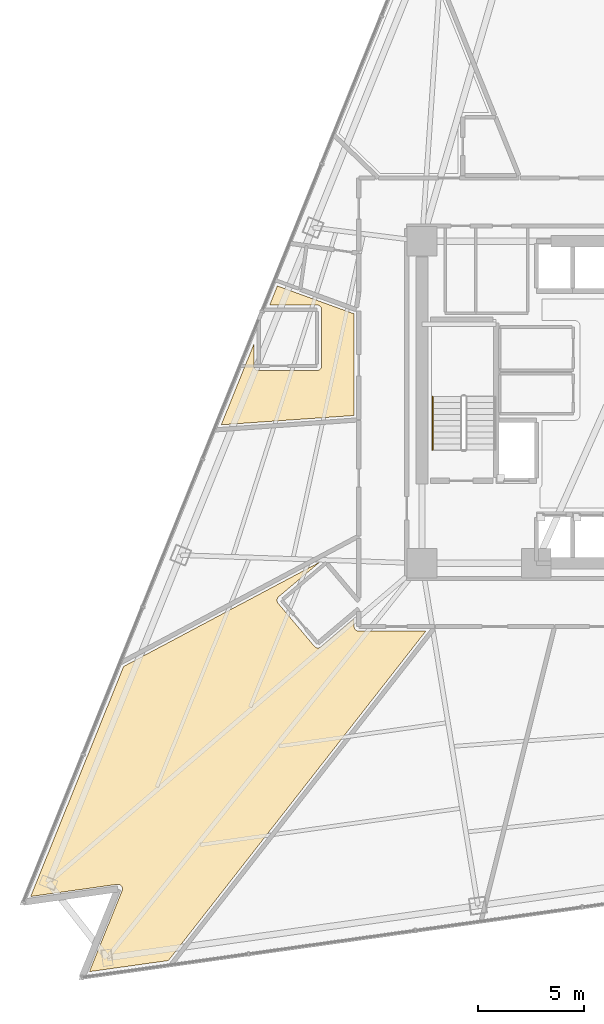
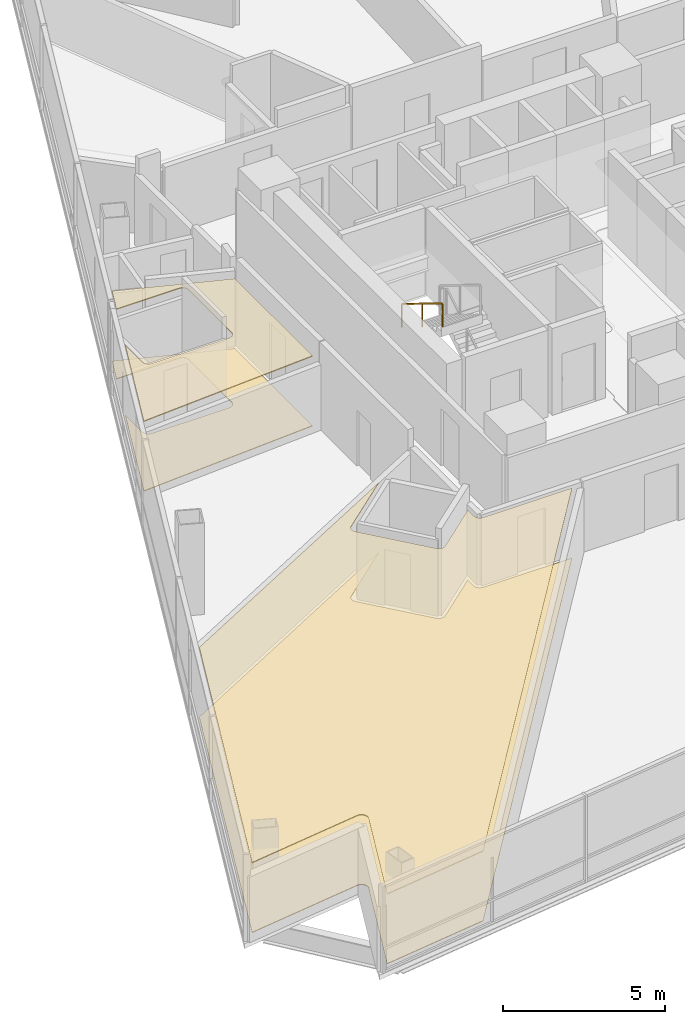
# One storey, part 11 of 15: 4 coverings, 1 railing.
"""IFC4 building model written with IfcOpenShell, lengths in metres."""

from ifc_helpers import new_model, si_unit, direction, frame, origin, origin_2d, place, context, subcontext, project, spatial, polyline, rectangle, outline, extrude, material, layer, layer_set, type_object, element, save


model = new_model("IFC4")

# Units and contexts
model_context = context("Model", 3, precision=1e-05, world=origin(), true_north=direction((0.0, 1.0)))
body_context = subcontext(model_context, "Body", "Model", "MODEL_VIEW")
ifc_project = project(units=[si_unit("LENGTHUNIT", "METRE"), si_unit("AREAUNIT", "SQUARE_METRE"), si_unit("VOLUMEUNIT", "CUBIC_METRE"), si_unit("PLANEANGLEUNIT", "RADIAN"), si_unit("MASSUNIT", "GRAM", prefix="KILO")], contexts=[model_context])

# Site, building, storey
site_placement = place(None, origin())
site = spatial("IfcSite", under=ifc_project, at=site_placement, CompositionType="ELEMENT")
building_placement = place(site_placement, origin())
building = spatial("IfcBuilding", under=site, at=building_placement, Name="Tharavind Bronze Gate", CompositionType="ELEMENT")
storey_placement = place(building_placement, frame((0.0, 0.0, 67.300048828125)))
storey = spatial("IfcBuildingStorey", under=building, at=storey_placement, Name="L16", CompositionType="ELEMENT", Elevation=67.300048828125)

# Coverings
ifc_material_1 = material(Name="Engineered Oak & Carpet Tile", Category="wood")
ifc_layer_1 = layer(ifc_material_1, 0.02490234375)
ifc_layer_set_1 = layer_set([ifc_layer_1], Name="Engineered Oak & Carpet Tile")
covering_type_1 = type_object("IfcCoveringType", Name="ENGINEERED TIMBER FLOORING", PredefinedType="FLOORING", material=ifc_layer_set_1)
covering_1_placement = place(storey_placement, origin())
element("IfcCovering", 1, at=covering_1_placement, inside=storey, type_object=covering_type_1, Name="L16-RM-07 floor finish", PredefinedType="FLOORING", context=body_context, shape_type="SweptSolid", body=[
    extrude(outline(polyline([(-12.10009765625, -0.62548828125), (-12.10009765625, 4.169921875), (-15.720703125, 5.48779296875), (-16.08447265625, 4.587646484375), (-13.85009765625, 4.587646484375), (-13.828369140625, 4.586669921875), (-13.80712890625, 4.58349609375), (-13.7861328125, 4.578125), (-13.765869140625, 4.57080078125), (-13.746337890625, 4.561767578125), (-13.727783203125, 4.550537109375), (-13.71044921875, 4.53759765625), (-13.6943359375, 4.523193359375), (-13.679931640625, 4.507080078125), (-13.6669921875, 4.489990234375), (-13.656005859375, 4.471435546875), (-13.646728515625, 4.451904296875), (-13.639404296875, 4.431396484375), (-13.63427734375, 4.41064453125), (-13.631103515625, 4.38916015625), (-13.6298828125, 4.36767578125), (-13.6298828125, 1.717529296875), (-13.631103515625, 1.696044921875), (-13.63427734375, 1.6748046875), (-13.639404296875, 1.65380859375), (-13.646728515625, 1.633544921875), (-13.656005859375, 1.614013671875), (-13.6669921875, 1.595458984375), (-13.679931640625, 1.578125), (-13.6943359375, 1.56201171875), (-13.71044921875, 1.547607421875), (-13.727783203125, 1.53466796875), (-13.746337890625, 1.523681640625), (-13.765869140625, 1.514404296875), (-13.7861328125, 1.507080078125), (-13.80712890625, 1.501953125), (-13.828369140625, 1.498779296875), (-13.85009765625, 1.49755859375), (-16.60009765625, 1.49755859375), (-16.62158203125, 1.498779296875), (-16.642822265625, 1.501953125), (-16.663818359375, 1.507080078125), (-16.68408203125, 1.514404296875), (-16.70361328125, 1.523681640625), (-16.72216796875, 1.53466796875), (-16.739501953125, 1.547607421875), (-16.755615234375, 1.56201171875), (-16.77001953125, 1.578125), (-16.782958984375, 1.595458984375), (-16.7939453125, 1.614013671875), (-16.80322265625, 1.633544921875), (-16.810546875, 1.65380859375), (-16.81591796875, 1.6748046875), (-16.81884765625, 1.696044921875), (-16.820068359375, 1.717529296875), (-16.820068359375, 2.767333984375), (-18.367919921875, -1.06396484375), (-12.10009765625, -0.62548828125)])), origin(), (0.0, 0.0, 1.0), 0.02490234375),
])
covering_2_placement = place(storey_placement, origin())
element("IfcCovering", 2, at=covering_2_placement, inside=storey, type_object=covering_type_1, Name="L16-RM-09 floor finish", PredefinedType="FLOORING", context=body_context, shape_type="SweptSolid", body=[
    extrude(outline(polyline([(-23.281982421875, -22.747802734375), (-23.271240234375, -22.74658203125), (-23.270751953125, -22.74658203125), (-23.248779296875, -22.74560546875), (-23.226806640625, -22.7470703125), (-23.205078125, -22.75048828125), (-23.18408203125, -22.756103515625), (-23.16357421875, -22.763916015625), (-23.143798828125, -22.7734375), (-23.125244140625, -22.78515625), (-23.10791015625, -22.798583984375), (-23.091796875, -22.813720703125), (-23.07763671875, -22.830078125), (-23.06494140625, -22.84814453125), (-23.05419921875, -22.8671875), (-23.04541015625, -22.88720703125), (-23.03857421875, -22.908203125), (-23.033935546875, -22.9296875), (-23.031494140625, -22.951416015625), (-23.031005859375, -22.973388671875), (-23.032958984375, -22.9951171875), (-23.037109375, -23.0166015625), (-23.043212890625, -23.037841796875), (-23.043212890625, -23.038330078125), (-23.047119140625, -23.048583984375), (-24.58984375, -26.866943359375), (-20.860595703125, -26.343017578125), (-8.717041015625, -10.800048828125), (-11.87939453125, -10.800048828125), (-11.89013671875, -10.7998046875), (-11.890869140625, -10.7998046875), (-11.912353515625, -10.797607421875), (-11.933349609375, -10.79345703125), (-11.9541015625, -10.787109375), (-11.97412109375, -10.77880859375), (-11.9931640625, -10.768798828125), (-12.010986328125, -10.756591796875), (-12.027587890625, -10.742919921875), (-12.04296875, -10.727783203125), (-12.056640625, -10.7109375), (-12.068603515625, -10.693115234375), (-12.078857421875, -10.674072265625), (-12.087158203125, -10.654052734375), (-12.093505859375, -10.63330078125), (-12.09765625, -10.6123046875), (-12.099609375, -10.5908203125), (-12.099609375, -10.590087890625), (-12.10009765625, -10.579345703125), (-12.10009765625, -10.218017578125), (-13.66796875, -11.53955078125), (-13.685302734375, -11.552490234375), (-13.70361328125, -11.56396484375), (-13.722900390625, -11.573486328125), (-13.7431640625, -11.580810546875), (-13.763916015625, -11.58642578125), (-13.785400390625, -11.58984375), (-13.806884765625, -11.59130859375), (-13.82861328125, -11.59033203125), (-13.849853515625, -11.58740234375), (-13.870849609375, -11.58251953125), (-13.891357421875, -11.57568359375), (-13.910888671875, -11.566650390625), (-13.9296875, -11.5556640625), (-13.947021484375, -11.543212890625), (-13.96337890625, -11.52880859375), (-13.97802734375, -11.512939453125), (-15.685791015625, -9.486572265625), (-15.69873046875, -9.469482421875), (-15.710205078125, -9.451171875), (-15.719482421875, -9.431640625), (-15.727294921875, -9.41162109375), (-15.732666015625, -9.390625), (-15.736083984375, -9.369384765625), (-15.737548828125, -9.34765625), (-15.73681640625, -9.326171875), (-15.73388671875, -9.3046875), (-15.728759765625, -9.28369140625), (-15.7216796875, -9.26318359375), (-15.712890625, -9.24365234375), (-15.701904296875, -9.22509765625), (-15.689208984375, -9.20751953125), (-15.675048828125, -9.19140625), (-15.6591796875, -9.176513671875), (-13.72607421875, -7.54736328125), (-22.97412109375, -12.464599609375), (-27.3603515625, -23.321044921875), (-23.281982421875, -22.747802734375)])), origin(), (0.0, 0.0, 1.0), 0.02490234375),
])
ifc_material_2 = material(Name="Acoustic Gypsum Board", Category="gypsum")
ifc_layer_2 = layer(ifc_material_2, 0.030029296875)
ifc_layer_set_2 = layer_set([ifc_layer_2], Name="Acoustic Gypsum Board")
covering_type_2 = type_object("IfcCoveringType", Name="GYPSUM SUSPENDED CEILING", PredefinedType="CEILING", material=ifc_layer_set_2)
covering_3_placement = place(storey_placement, frame((0.0, 0.0, 2.625)))
element("IfcCovering", 3, at=covering_3_placement, inside=storey, type_object=covering_type_2, Name="L16-RM-07 suspended ceiling", PredefinedType="CEILING", context=body_context, shape_type="SweptSolid", body=[
    extrude(outline(polyline([(-12.10009765625, -0.62548828125), (-12.10009765625, 4.169921875), (-15.720703125, 5.48779296875), (-16.08447265625, 4.587646484375), (-13.85009765625, 4.587646484375), (-13.828369140625, 4.586669921875), (-13.80712890625, 4.58349609375), (-13.7861328125, 4.578125), (-13.765869140625, 4.57080078125), (-13.746337890625, 4.561767578125), (-13.727783203125, 4.550537109375), (-13.71044921875, 4.53759765625), (-13.6943359375, 4.523193359375), (-13.679931640625, 4.507080078125), (-13.6669921875, 4.489990234375), (-13.656005859375, 4.471435546875), (-13.646728515625, 4.451904296875), (-13.639404296875, 4.431396484375), (-13.63427734375, 4.41064453125), (-13.631103515625, 4.38916015625), (-13.6298828125, 4.36767578125), (-13.6298828125, 1.717529296875), (-13.631103515625, 1.696044921875), (-13.63427734375, 1.6748046875), (-13.639404296875, 1.65380859375), (-13.646728515625, 1.633544921875), (-13.656005859375, 1.614013671875), (-13.6669921875, 1.595458984375), (-13.679931640625, 1.578125), (-13.6943359375, 1.56201171875), (-13.71044921875, 1.547607421875), (-13.727783203125, 1.53466796875), (-13.746337890625, 1.523681640625), (-13.765869140625, 1.514404296875), (-13.7861328125, 1.507080078125), (-13.80712890625, 1.501953125), (-13.828369140625, 1.498779296875), (-13.85009765625, 1.49755859375), (-16.60009765625, 1.49755859375), (-16.62158203125, 1.498779296875), (-16.642822265625, 1.501953125), (-16.663818359375, 1.507080078125), (-16.68408203125, 1.514404296875), (-16.70361328125, 1.523681640625), (-16.72216796875, 1.53466796875), (-16.739501953125, 1.547607421875), (-16.755615234375, 1.56201171875), (-16.77001953125, 1.578125), (-16.782958984375, 1.595458984375), (-16.7939453125, 1.614013671875), (-16.80322265625, 1.633544921875), (-16.810546875, 1.65380859375), (-16.81591796875, 1.6748046875), (-16.81884765625, 1.696044921875), (-16.820068359375, 1.717529296875), (-16.820068359375, 2.767333984375), (-18.367919921875, -1.06396484375), (-12.10009765625, -0.62548828125)])), origin(), (0.0, 0.0, 1.0), 0.034912109375),
])
covering_4_placement = place(storey_placement, frame((0.0, 0.0, 2.625)))
element("IfcCovering", 4, at=covering_4_placement, inside=storey, type_object=covering_type_2, Name="L16-RM-09 suspended ceiling", PredefinedType="CEILING", context=body_context, shape_type="SweptSolid", body=[
    extrude(outline(polyline([(-23.281982421875, -22.747802734375), (-23.271240234375, -22.74658203125), (-23.270751953125, -22.74658203125), (-23.248779296875, -22.74560546875), (-23.226806640625, -22.7470703125), (-23.205078125, -22.75048828125), (-23.18408203125, -22.756103515625), (-23.16357421875, -22.763916015625), (-23.143798828125, -22.7734375), (-23.125244140625, -22.78515625), (-23.10791015625, -22.798583984375), (-23.091796875, -22.813720703125), (-23.07763671875, -22.830078125), (-23.06494140625, -22.84814453125), (-23.05419921875, -22.8671875), (-23.04541015625, -22.88720703125), (-23.03857421875, -22.908203125), (-23.033935546875, -22.9296875), (-23.031494140625, -22.951416015625), (-23.031005859375, -22.973388671875), (-23.032958984375, -22.9951171875), (-23.037109375, -23.0166015625), (-23.043212890625, -23.037841796875), (-23.043212890625, -23.038330078125), (-23.047119140625, -23.048583984375), (-24.58984375, -26.866943359375), (-20.860595703125, -26.343017578125), (-8.717041015625, -10.800048828125), (-11.87939453125, -10.800048828125), (-11.89013671875, -10.7998046875), (-11.890869140625, -10.7998046875), (-11.912353515625, -10.797607421875), (-11.933349609375, -10.79345703125), (-11.9541015625, -10.787109375), (-11.97412109375, -10.77880859375), (-11.9931640625, -10.768798828125), (-12.010986328125, -10.756591796875), (-12.027587890625, -10.742919921875), (-12.04296875, -10.727783203125), (-12.056640625, -10.7109375), (-12.068603515625, -10.693115234375), (-12.078857421875, -10.674072265625), (-12.087158203125, -10.654052734375), (-12.093505859375, -10.63330078125), (-12.09765625, -10.6123046875), (-12.099609375, -10.5908203125), (-12.099609375, -10.590087890625), (-12.10009765625, -10.579345703125), (-12.10009765625, -10.218017578125), (-13.66796875, -11.53955078125), (-13.685302734375, -11.552490234375), (-13.70361328125, -11.56396484375), (-13.722900390625, -11.573486328125), (-13.7431640625, -11.580810546875), (-13.763916015625, -11.58642578125), (-13.785400390625, -11.58984375), (-13.806884765625, -11.59130859375), (-13.82861328125, -11.59033203125), (-13.849853515625, -11.58740234375), (-13.870849609375, -11.58251953125), (-13.891357421875, -11.57568359375), (-13.910888671875, -11.566650390625), (-13.9296875, -11.5556640625), (-13.947021484375, -11.543212890625), (-13.96337890625, -11.52880859375), (-13.97802734375, -11.512939453125), (-15.685791015625, -9.486572265625), (-15.69873046875, -9.469482421875), (-15.710205078125, -9.451171875), (-15.719482421875, -9.431640625), (-15.727294921875, -9.41162109375), (-15.732666015625, -9.390625), (-15.736083984375, -9.369384765625), (-15.737548828125, -9.34765625), (-15.73681640625, -9.326171875), (-15.73388671875, -9.3046875), (-15.728759765625, -9.28369140625), (-15.7216796875, -9.26318359375), (-15.712890625, -9.24365234375), (-15.701904296875, -9.22509765625), (-15.689208984375, -9.20751953125), (-15.675048828125, -9.19140625), (-15.6591796875, -9.176513671875), (-13.72607421875, -7.54736328125), (-22.97412109375, -12.464599609375), (-27.3603515625, -23.321044921875), (-23.281982421875, -22.747802734375)])), origin(), (0.0, 0.0, 1.0), 0.034912109375),
])

# Railing
ifc_material_3 = material(Name="Brushed Bronze Alloy", Category="metal")
railing_type = type_object("IfcRailingType", Name="STAIR BRONZE HANDRAIL 900", PredefinedType="HANDRAIL", material=ifc_material_3)
railing_placement = place(storey_placement, frame((-8.39990234375, 0.27001953125, 1.8974609375)))
element("IfcRailing", 5, at=railing_placement, inside=storey, type_object=railing_type, Name="L16 ST1 stair handrail 2", PredefinedType="HANDRAIL", context=body_context, shape_type="SweptSolid", body=[
    extrude(rectangle(XDim=0.048095703125, YDim=0.048095703125, at=origin_2d()), frame((0.0, -0.02734375, 0.892578125), z_axis=(0.0, -0.851400495292, 0.524516154772), x_axis=(1.0, 0.0, 0.0)), (0.0, 0.0, 1.0), 2.895751953125),
    extrude(rectangle(XDim=0.0400390625, YDim=0.0400390625, at=origin_2d()), origin(), (0.0, 0.0, 1.0), 0.847900390625),
    extrude(rectangle(XDim=0.0400390625, YDim=0.0400390625, at=origin_2d()), frame((0.0, -1.260009765625, 0.7763671875)), (0.0, 0.0, 1.0), 0.847900390625),
    extrude(rectangle(XDim=0.0400390625, YDim=0.0400390625, at=origin_2d()), frame((0.0, -2.52001953125, 1.552490234375)), (0.0, 0.0, 1.0), 0.847900390625),
])

save(model, "model.ifc")
